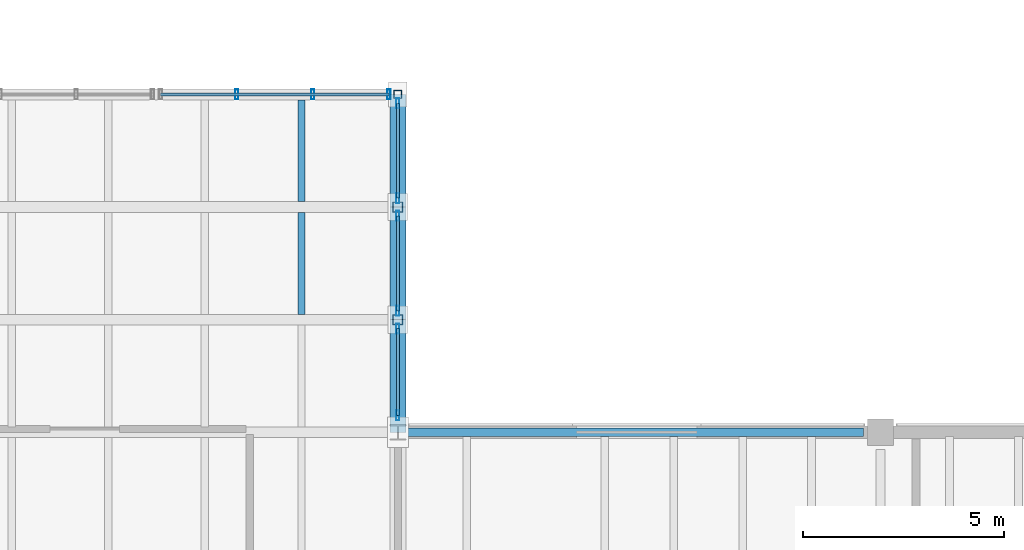
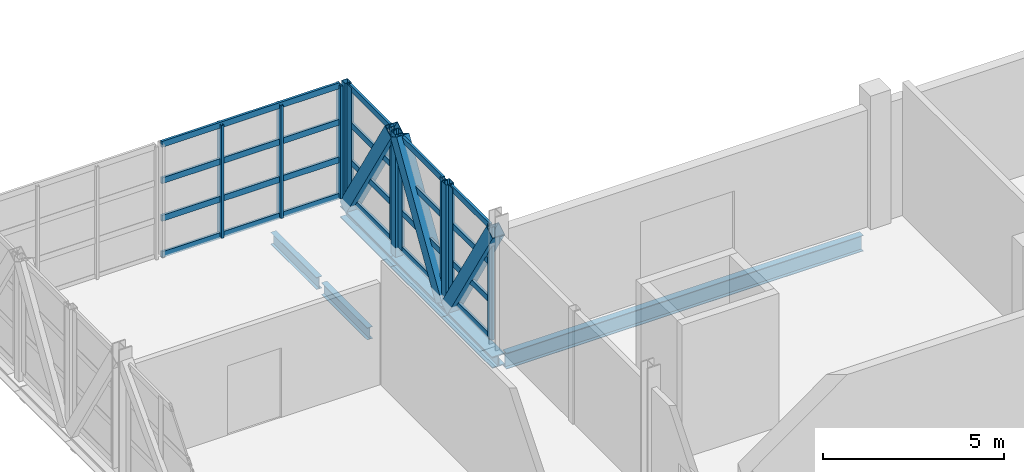
# One storey, part 38 of 63: 31 members, 6 beams, 4 elements without a shape of their own.
"""IFC4 building model written with IfcOpenShell, lengths in metres."""

from ifc_helpers import new_model, si_unit, direction, frame, origin, origin_2d, place, context, subcontext, project, spatial, hollow_rectangle, i_section, extrude, material, material_profile, profile_set, type_object, element, aggregate, save


model = new_model("IFC4")

# Units and contexts
model_context = context("Model", 3, precision=1e-05, world=origin(), true_north=direction((0.0, 1.0)))
body_context = subcontext(model_context, "Body", "Model", "MODEL_VIEW")
ifc_project = project(units=[si_unit("LENGTHUNIT", "METRE"), si_unit("AREAUNIT", "SQUARE_METRE"), si_unit("VOLUMEUNIT", "CUBIC_METRE"), si_unit("PLANEANGLEUNIT", "RADIAN"), si_unit("MASSUNIT", "GRAM", prefix="KILO")], contexts=[model_context])

# Site, building, storey
site_placement = place(None, origin())
site = spatial("IfcSite", under=ifc_project, at=site_placement, CompositionType="ELEMENT")
building_placement = place(site_placement, origin())
building = spatial("IfcBuilding", under=site, at=building_placement, Name="Kelmvaro Bay Concert Hall", CompositionType="ELEMENT")
storey_placement = place(building_placement, frame((0.0, 0.0, 13.800048828125)))
storey = spatial("IfcBuildingStorey", under=building, at=storey_placement, Name="L03", CompositionType="ELEMENT", Elevation=13.800048828125)

# Beams
ifc_material_1 = material(Name="Steel ASTM A992 Grade 50", Category="steel")
ifc_material_profile_1 = material_profile(ifc_material_1, i_section(OverallWidth=0.177978515625, OverallDepth=0.406005859375, WebThickness=0.0078125, FlangeThickness=0.0126953125, at=origin_2d()), Name="W16X40")
ifc_profile_set_1 = profile_set([ifc_material_profile_1], Name="Steel ASTM A992 Grade 50")
beam_type_1 = type_object("IfcBeamType", Name="Bridge Deck Floor Joist W16x40", PredefinedType="JOIST", material=ifc_profile_set_1)
for number, where, z_axis, x_axis, name in (
    (1, (129.60009765625, 100.133544921875, -0.532958984375), (0.0, 1.0, 0.0), (-1.0, 0.0, 0.0), "Bridge Deck Joist L03-21"),
    (2, (129.60009765625, 102.93359375, -0.532958984375), (0.0, 1.0, 0.0), (-1.0, 0.0, 0.0), "Bridge Deck Joist L03-22"),
):
    element("IfcBeam", number, at=place(storey_placement, frame(where, z_axis=z_axis, x_axis=x_axis)), inside=storey, type_object=beam_type_1, Name=name, PredefinedType="JOIST", context=body_context, shape_type="SweptSolid", body=[
        extrude(i_section(OverallWidth=0.177978515625, OverallDepth=0.406005859375, WebThickness=0.0078125, FlangeThickness=0.0126953125, at=origin_2d()), origin(), (0.0, 0.0, 1.0), 2.532958984375),
    ])

# Members
ifc_material_2 = material(Name="Steel ASTM A500 Grade C", Category="steel")
ifc_material_profile_2 = material_profile(ifc_material_2, hollow_rectangle(XDim=0.199951171875, YDim=0.199951171875, WallThickness=0.010009765625, at=origin_2d()), Name="HSS200X200X10")
ifc_profile_set_2 = profile_set([ifc_material_profile_2], Name="Steel ASTM A500 Grade C")
member_type_1 = type_object("IfcMemberType", Name="Bridge End Truss Post HSS200x200x10", PredefinedType="STRUT", material=ifc_profile_set_2)
member_1_placement = place(storey_placement, frame((132.0, 105.60009765625, -0.322021484375), z_axis=(0.0, 0.0, 1.0), x_axis=(1.0, 0.0, 0.0)))
element("IfcMember", 3, at=member_1_placement, inside=storey, type_object=member_type_1, Name="Bridge Truss E Vertical Post 23", PredefinedType="STRUT", context=body_context, shape_type="SweptSolid", body=[
    extrude(hollow_rectangle(XDim=0.199951171875, YDim=0.199951171875, WallThickness=0.010009765625, at=origin_2d()), origin(), (0.0, 0.0, 1.0), 4.135009765625),
])
ifc_material_3 = material(Name="Steel ASTM A500 Grade C", Category="steel")
ifc_material_profile_3 = material_profile(ifc_material_3, hollow_rectangle(XDim=0.39990234375, YDim=0.39990234375, WallThickness=0.01611328125, at=origin_2d()), Name="HSS400X400X16")
ifc_profile_set_3 = profile_set([ifc_material_profile_3], Name="Steel ASTM A500 Grade C")
member_type_2 = type_object("IfcMemberType", Name="Bridge Heavy Web Diagonal HSS400x400x16", PredefinedType="BRACE", material=ifc_profile_set_3)
for number, where, z_axis, x_axis, name in (
    (4, (132.0, 97.3525390625, 3.780517578125), (0.0, 0.522610025981, -0.852571850781), (-1.0, 0.0, 0.0), "Bridge Truss E Web Diagonal 20"),
    (5, (132.0, 100.152587890625, -0.28955078125), (0.0, 0.522610025981, 0.852571850781), (-1.0, 0.0, 0.0), "Bridge Truss E Web Diagonal 21"),
    (6, (132.0, 102.95263671875, 3.780517578125), (0.0, 0.522610025981, -0.852571850781), (-1.0, 0.0, 0.0), "Bridge Truss E Web Diagonal 22"),
):
    element("IfcMember", number, at=place(storey_placement, frame(where, z_axis=z_axis, x_axis=x_axis)), inside=storey, type_object=member_type_2, Name=name, PredefinedType="BRACE", context=body_context, shape_type="SweptSolid", body=[
        extrude(hollow_rectangle(XDim=0.39990234375, YDim=0.39990234375, WallThickness=0.01611328125, at=origin_2d()), origin(), (0.0, 0.0, 1.0), 4.77392578125),
    ])

# Curtain wall, members
ifc_material_4 = material(Name="Anodised Aluminium and Low-E Insulated Glazing", Category="aluminium")
curtain_wall_type = type_object("IfcCurtainWallType", Name="Bridge Cantilever Observation Glazing 3980", PredefinedType="USERDEFINED", material=ifc_material_4)
curtain_wall_1_placement = place(storey_placement, origin())
curtain_wall_1 = element("IfcCurtainWall", 7, at=curtain_wall_1_placement, inside=storey, type_object=curtain_wall_type, Name="Unitised Curtain Wall CW-BRG-E20", ObjectType="UNITISED GLAZING", PredefinedType="USERDEFINED")
ifc_material_5 = material(Name="Anodised Extruded Aluminium 6063-T6", Category="aluminium")
ifc_material_profile_4 = material_profile(ifc_material_5, hollow_rectangle(XDim=0.080078125, YDim=0.25, WallThickness=0.005615234375, at=origin_2d()), Name="ALU-MUL-250X80")
ifc_profile_set_4 = profile_set([ifc_material_profile_4], Name="Anodised Extruded Aluminium 6063-T6")
member_type_3 = type_object("IfcMemberType", Name="Bridge Hurricane Mullion ALU 250x80", PredefinedType="MULLION", material=ifc_profile_set_4)
member_2_placement = place(storey_placement, frame((132.0, 99.780029296875, 0.0), z_axis=(0.0, 0.0, 1.0), x_axis=(1.0, 0.0, 0.0)))
member_2 = element("IfcMember", 8, at=member_2_placement, type_object=member_type_3, Name="CW-BRG-E20 Mullion 01", PredefinedType="MULLION", context=body_context, shape_type="SweptSolid", body=[
    extrude(hollow_rectangle(XDim=0.080078125, YDim=0.25, WallThickness=0.005615234375, at=origin_2d()), origin(), (0.0, 0.0, 1.0), 3.800048828125),
])
member_3_placement = place(storey_placement, frame((132.0, 97.6201171875, 0.0), z_axis=(0.0, 0.0, 1.0), x_axis=(1.0, 0.0, 0.0)))
member_3 = element("IfcMember", 9, at=member_3_placement, type_object=member_type_3, Name="CW-BRG-E20 Mullion 02", PredefinedType="MULLION", context=body_context, shape_type="SweptSolid", body=[
    extrude(hollow_rectangle(XDim=0.080078125, YDim=0.25, WallThickness=0.005615234375, at=origin_2d()), origin(), (0.0, 0.0, 1.0), 3.800048828125),
])

curtain_wall_2_placement = place(storey_placement, origin())
curtain_wall_2 = element("IfcCurtainWall", 10, at=curtain_wall_2_placement, inside=storey, type_object=curtain_wall_type, Name="Unitised Curtain Wall CW-BRG-E21", ObjectType="UNITISED GLAZING", PredefinedType="USERDEFINED")
member_4_placement = place(storey_placement, frame((132.0, 102.580078125, 0.0), z_axis=(0.0, 0.0, 1.0), x_axis=(1.0, 0.0, 0.0)))
member_4 = element("IfcMember", 11, at=member_4_placement, type_object=member_type_3, Name="CW-BRG-E21 Mullion 01", PredefinedType="MULLION", context=body_context, shape_type="SweptSolid", body=[
    extrude(hollow_rectangle(XDim=0.080078125, YDim=0.25, WallThickness=0.005615234375, at=origin_2d()), origin(), (0.0, 0.0, 1.0), 3.800048828125),
])
member_5_placement = place(storey_placement, frame((132.0, 100.219970703125, 0.0), z_axis=(0.0, 0.0, 1.0), x_axis=(1.0, 0.0, 0.0)))
member_5 = element("IfcMember", 12, at=member_5_placement, type_object=member_type_3, Name="CW-BRG-E21 Mullion 02", PredefinedType="MULLION", context=body_context, shape_type="SweptSolid", body=[
    extrude(hollow_rectangle(XDim=0.080078125, YDim=0.25, WallThickness=0.005615234375, at=origin_2d()), origin(), (0.0, 0.0, 1.0), 3.800048828125),
])

curtain_wall_3_placement = place(storey_placement, origin())
curtain_wall_3 = element("IfcCurtainWall", 13, at=curtain_wall_3_placement, inside=storey, type_object=curtain_wall_type, Name="Unitised Curtain Wall CW-BRG-E22", ObjectType="UNITISED GLAZING", PredefinedType="USERDEFINED")
member_6_placement = place(storey_placement, frame((132.0, 105.3798828125, 0.0), z_axis=(0.0, 0.0, 1.0), x_axis=(1.0, 0.0, 0.0)))
member_6 = element("IfcMember", 14, at=member_6_placement, type_object=member_type_3, Name="CW-BRG-E22 Mullion 01", PredefinedType="MULLION", context=body_context, shape_type="SweptSolid", body=[
    extrude(hollow_rectangle(XDim=0.080078125, YDim=0.25, WallThickness=0.005615234375, at=origin_2d()), origin(), (0.0, 0.0, 1.0), 3.800048828125),
])
member_7_placement = place(storey_placement, frame((132.0, 103.02001953125, 0.0), z_axis=(0.0, 0.0, 1.0), x_axis=(1.0, 0.0, 0.0)))
member_7 = element("IfcMember", 15, at=member_7_placement, type_object=member_type_3, Name="CW-BRG-E22 Mullion 02", PredefinedType="MULLION", context=body_context, shape_type="SweptSolid", body=[
    extrude(hollow_rectangle(XDim=0.080078125, YDim=0.25, WallThickness=0.005615234375, at=origin_2d()), origin(), (0.0, 0.0, 1.0), 3.800048828125),
])

curtain_wall_4_placement = place(storey_placement, origin())
curtain_wall_4 = element("IfcCurtainWall", 16, at=curtain_wall_4_placement, inside=storey, type_object=curtain_wall_type, Name="Unitised Curtain Wall CW-BRG-NEND2", ObjectType="UNITISED GLAZING", PredefinedType="USERDEFINED")
member_8_placement = place(storey_placement, frame((127.993408203125, 105.60009765625, 0.0), z_axis=(0.0, 0.0, 1.0), x_axis=(1.0, 0.0, 0.0)))
member_8 = element("IfcMember", 17, at=member_8_placement, type_object=member_type_3, Name="CW-BRG-NEND2 Mullion 02", PredefinedType="MULLION", context=body_context, shape_type="SweptSolid", body=[
    extrude(hollow_rectangle(XDim=0.080078125, YDim=0.25, WallThickness=0.005615234375, at=origin_2d()), origin(), (0.0, 0.0, 1.0), 3.800048828125),
])
member_9_placement = place(storey_placement, frame((129.88671875, 105.60009765625, 0.0), z_axis=(0.0, 0.0, 1.0), x_axis=(1.0, 0.0, 0.0)))
member_9 = element("IfcMember", 18, at=member_9_placement, type_object=member_type_3, Name="CW-BRG-NEND2 Mullion 03", PredefinedType="MULLION", context=body_context, shape_type="SweptSolid", body=[
    extrude(hollow_rectangle(XDim=0.080078125, YDim=0.25, WallThickness=0.005615234375, at=origin_2d()), origin(), (0.0, 0.0, 1.0), 3.800048828125),
])
member_10_placement = place(storey_placement, frame((131.780029296875, 105.60009765625, 0.0), z_axis=(0.0, 0.0, 1.0), x_axis=(1.0, 0.0, 0.0)))
member_10 = element("IfcMember", 19, at=member_10_placement, type_object=member_type_3, Name="CW-BRG-NEND2 Mullion 04", PredefinedType="MULLION", context=body_context, shape_type="SweptSolid", body=[
    extrude(hollow_rectangle(XDim=0.080078125, YDim=0.25, WallThickness=0.005615234375, at=origin_2d()), origin(), (0.0, 0.0, 1.0), 3.800048828125),
])

# Member
ifc_material_6 = material(Name="Anodised Extruded Aluminium 6063-T6", Category="aluminium")
ifc_material_profile_5 = material_profile(ifc_material_6, hollow_rectangle(XDim=0.074951171875, YDim=0.199951171875, WallThickness=0.0048828125, at=origin_2d()), Name="ALU-TRN-200X75")
ifc_profile_set_5 = profile_set([ifc_material_profile_5], Name="Anodised Extruded Aluminium 6063-T6")
member_type_4 = type_object("IfcMemberType", Name="Bridge Hurricane Transom ALU 200x75", PredefinedType="USERDEFINED", material=ifc_profile_set_5)
member_11_placement = place(storey_placement, frame((132.0, 99.780029296875, 0.0400390625), z_axis=(0.0, -1.0, 0.0), x_axis=(1.0, 0.0, 0.0)))
member_11 = element("IfcMember", 20, at=member_11_placement, type_object=member_type_4, Name="CW-BRG-E20 Transom 01", ObjectType="TRANSOM", PredefinedType="USERDEFINED", context=body_context, shape_type="SweptSolid", body=[
    extrude(hollow_rectangle(XDim=0.074951171875, YDim=0.199951171875, WallThickness=0.0048828125, at=origin_2d()), origin(), (0.0, 0.0, 1.0), 2.159912109375),
])

member_12_placement = place(storey_placement, frame((132.0, 99.780029296875, 1.2666015625), z_axis=(0.0, -1.0, 0.0), x_axis=(1.0, 0.0, 0.0)))
member_12 = element("IfcMember", 21, at=member_12_placement, type_object=member_type_4, Name="CW-BRG-E20 Transom 02", ObjectType="TRANSOM", PredefinedType="USERDEFINED", context=body_context, shape_type="SweptSolid", body=[
    extrude(hollow_rectangle(XDim=0.074951171875, YDim=0.199951171875, WallThickness=0.0048828125, at=origin_2d()), origin(), (0.0, 0.0, 1.0), 2.159912109375),
])

member_13_placement = place(storey_placement, frame((132.0, 99.780029296875, 2.533203125), z_axis=(0.0, -1.0, 0.0), x_axis=(1.0, 0.0, 0.0)))
member_13 = element("IfcMember", 22, at=member_13_placement, type_object=member_type_4, Name="CW-BRG-E20 Transom 03", ObjectType="TRANSOM", PredefinedType="USERDEFINED", context=body_context, shape_type="SweptSolid", body=[
    extrude(hollow_rectangle(XDim=0.074951171875, YDim=0.199951171875, WallThickness=0.0048828125, at=origin_2d()), origin(), (0.0, 0.0, 1.0), 2.159912109375),
])

member_14_placement = place(storey_placement, frame((132.0, 99.780029296875, 3.760009765625), z_axis=(0.0, -1.0, 0.0), x_axis=(1.0, 0.0, 0.0)))
member_14 = element("IfcMember", 23, at=member_14_placement, type_object=member_type_4, Name="CW-BRG-E20 Transom 04", ObjectType="TRANSOM", PredefinedType="USERDEFINED", context=body_context, shape_type="SweptSolid", body=[
    extrude(hollow_rectangle(XDim=0.074951171875, YDim=0.199951171875, WallThickness=0.0048828125, at=origin_2d()), origin(), (0.0, 0.0, 1.0), 2.159912109375),
])

aggregate(curtain_wall_1, [member_2, member_3, member_11, member_12, member_13, member_14])

member_15_placement = place(storey_placement, frame((132.0, 102.580078125, 0.0400390625), z_axis=(0.0, -1.0, 0.0), x_axis=(1.0, 0.0, 0.0)))
member_15 = element("IfcMember", 24, at=member_15_placement, type_object=member_type_4, Name="CW-BRG-E21 Transom 01", ObjectType="TRANSOM", PredefinedType="USERDEFINED", context=body_context, shape_type="SweptSolid", body=[
    extrude(hollow_rectangle(XDim=0.074951171875, YDim=0.199951171875, WallThickness=0.0048828125, at=origin_2d()), origin(), (0.0, 0.0, 1.0), 2.360107421875),
])

member_16_placement = place(storey_placement, frame((132.0, 102.580078125, 1.2666015625), z_axis=(0.0, -1.0, 0.0), x_axis=(1.0, 0.0, 0.0)))
member_16 = element("IfcMember", 25, at=member_16_placement, type_object=member_type_4, Name="CW-BRG-E21 Transom 02", ObjectType="TRANSOM", PredefinedType="USERDEFINED", context=body_context, shape_type="SweptSolid", body=[
    extrude(hollow_rectangle(XDim=0.074951171875, YDim=0.199951171875, WallThickness=0.0048828125, at=origin_2d()), origin(), (0.0, 0.0, 1.0), 2.360107421875),
])

member_17_placement = place(storey_placement, frame((132.0, 102.580078125, 2.533203125), z_axis=(0.0, -1.0, 0.0), x_axis=(1.0, 0.0, 0.0)))
member_17 = element("IfcMember", 26, at=member_17_placement, type_object=member_type_4, Name="CW-BRG-E21 Transom 03", ObjectType="TRANSOM", PredefinedType="USERDEFINED", context=body_context, shape_type="SweptSolid", body=[
    extrude(hollow_rectangle(XDim=0.074951171875, YDim=0.199951171875, WallThickness=0.0048828125, at=origin_2d()), origin(), (0.0, 0.0, 1.0), 2.360107421875),
])

member_18_placement = place(storey_placement, frame((132.0, 102.580078125, 3.760009765625), z_axis=(0.0, -1.0, 0.0), x_axis=(1.0, 0.0, 0.0)))
member_18 = element("IfcMember", 27, at=member_18_placement, type_object=member_type_4, Name="CW-BRG-E21 Transom 04", ObjectType="TRANSOM", PredefinedType="USERDEFINED", context=body_context, shape_type="SweptSolid", body=[
    extrude(hollow_rectangle(XDim=0.074951171875, YDim=0.199951171875, WallThickness=0.0048828125, at=origin_2d()), origin(), (0.0, 0.0, 1.0), 2.360107421875),
])

aggregate(curtain_wall_2, [member_4, member_5, member_15, member_16, member_17, member_18])

member_19_placement = place(storey_placement, frame((132.0, 105.3798828125, 0.0400390625), z_axis=(0.0, -1.0, 0.0), x_axis=(1.0, 0.0, 0.0)))
member_19 = element("IfcMember", 28, at=member_19_placement, type_object=member_type_4, Name="CW-BRG-E22 Transom 01", ObjectType="TRANSOM", PredefinedType="USERDEFINED", context=body_context, shape_type="SweptSolid", body=[
    extrude(hollow_rectangle(XDim=0.074951171875, YDim=0.199951171875, WallThickness=0.0048828125, at=origin_2d()), origin(), (0.0, 0.0, 1.0), 2.35986328125),
])

member_20_placement = place(storey_placement, frame((132.0, 105.3798828125, 1.2666015625), z_axis=(0.0, -1.0, 0.0), x_axis=(1.0, 0.0, 0.0)))
member_20 = element("IfcMember", 29, at=member_20_placement, type_object=member_type_4, Name="CW-BRG-E22 Transom 02", ObjectType="TRANSOM", PredefinedType="USERDEFINED", context=body_context, shape_type="SweptSolid", body=[
    extrude(hollow_rectangle(XDim=0.074951171875, YDim=0.199951171875, WallThickness=0.0048828125, at=origin_2d()), origin(), (0.0, 0.0, 1.0), 2.35986328125),
])

member_21_placement = place(storey_placement, frame((132.0, 105.3798828125, 2.533203125), z_axis=(0.0, -1.0, 0.0), x_axis=(1.0, 0.0, 0.0)))
member_21 = element("IfcMember", 30, at=member_21_placement, type_object=member_type_4, Name="CW-BRG-E22 Transom 03", ObjectType="TRANSOM", PredefinedType="USERDEFINED", context=body_context, shape_type="SweptSolid", body=[
    extrude(hollow_rectangle(XDim=0.074951171875, YDim=0.199951171875, WallThickness=0.0048828125, at=origin_2d()), origin(), (0.0, 0.0, 1.0), 2.35986328125),
])

member_22_placement = place(storey_placement, frame((132.0, 105.3798828125, 3.760009765625), z_axis=(0.0, -1.0, 0.0), x_axis=(1.0, 0.0, 0.0)))
member_22 = element("IfcMember", 31, at=member_22_placement, type_object=member_type_4, Name="CW-BRG-E22 Transom 04", ObjectType="TRANSOM", PredefinedType="USERDEFINED", context=body_context, shape_type="SweptSolid", body=[
    extrude(hollow_rectangle(XDim=0.074951171875, YDim=0.199951171875, WallThickness=0.0048828125, at=origin_2d()), origin(), (0.0, 0.0, 1.0), 2.35986328125),
])

aggregate(curtain_wall_3, [member_6, member_7, member_19, member_20, member_21, member_22])

member_23_placement = place(storey_placement, frame((126.10009765625, 105.60009765625, 0.0400390625), z_axis=(1.0, 0.0, 0.0), x_axis=(0.0, 1.0, 0.0)))
member_23 = element("IfcMember", 32, at=member_23_placement, type_object=member_type_4, Name="CW-BRG-NEND2 Transom 01", ObjectType="TRANSOM", PredefinedType="USERDEFINED", context=body_context, shape_type="SweptSolid", body=[
    extrude(hollow_rectangle(XDim=0.074951171875, YDim=0.199951171875, WallThickness=0.0048828125, at=origin_2d()), origin(), (0.0, 0.0, 1.0), 5.679931640625),
])

member_24_placement = place(storey_placement, frame((126.10009765625, 105.60009765625, 1.2666015625), z_axis=(1.0, 0.0, 0.0), x_axis=(0.0, 1.0, 0.0)))
member_24 = element("IfcMember", 33, at=member_24_placement, type_object=member_type_4, Name="CW-BRG-NEND2 Transom 02", ObjectType="TRANSOM", PredefinedType="USERDEFINED", context=body_context, shape_type="SweptSolid", body=[
    extrude(hollow_rectangle(XDim=0.074951171875, YDim=0.199951171875, WallThickness=0.0048828125, at=origin_2d()), origin(), (0.0, 0.0, 1.0), 5.679931640625),
])

member_25_placement = place(storey_placement, frame((126.10009765625, 105.60009765625, 2.533203125), z_axis=(1.0, 0.0, 0.0), x_axis=(0.0, 1.0, 0.0)))
member_25 = element("IfcMember", 34, at=member_25_placement, type_object=member_type_4, Name="CW-BRG-NEND2 Transom 03", ObjectType="TRANSOM", PredefinedType="USERDEFINED", context=body_context, shape_type="SweptSolid", body=[
    extrude(hollow_rectangle(XDim=0.074951171875, YDim=0.199951171875, WallThickness=0.0048828125, at=origin_2d()), origin(), (0.0, 0.0, 1.0), 5.679931640625),
])

member_26_placement = place(storey_placement, frame((126.10009765625, 105.60009765625, 3.760009765625), z_axis=(1.0, 0.0, 0.0), x_axis=(0.0, 1.0, 0.0)))
member_26 = element("IfcMember", 35, at=member_26_placement, type_object=member_type_4, Name="CW-BRG-NEND2 Transom 04", ObjectType="TRANSOM", PredefinedType="USERDEFINED", context=body_context, shape_type="SweptSolid", body=[
    extrude(hollow_rectangle(XDim=0.074951171875, YDim=0.199951171875, WallThickness=0.0048828125, at=origin_2d()), origin(), (0.0, 0.0, 1.0), 5.679931640625),
])

aggregate(curtain_wall_4, [member_8, member_9, member_10, member_23, member_24, member_25, member_26])

# Beams
ifc_material_7 = material(Name="Steel ASTM A992 Grade 50", Category="steel")
ifc_material_profile_6 = material_profile(ifc_material_7, i_section(OverallWidth=0.39892578125, OverallDepth=0.385986328125, WebThickness=0.02099609375, FlangeThickness=0.033203125, at=origin_2d()), Name="W14X176")
ifc_profile_set_6 = profile_set([ifc_material_profile_6], Name="Steel ASTM A992 Grade 50")
beam_type_2 = type_object("IfcBeamType", Name="Bridge Truss Bottom Chord W14x176", PredefinedType="BEAM", material=ifc_profile_set_6)
for number, where, z_axis, x_axis, name in (
    (36, (132.0, 97.199951171875, -0.52294921875), (0.0, 1.0, 0.0), (-1.0, 0.0, 0.0), "Bridge Truss E Bottom Chord 20"),
    (37, (132.0, 100.0, -0.52294921875), (0.0, 1.0, 0.0), (-1.0, 0.0, 0.0), "Bridge Truss E Bottom Chord 21"),
    (38, (132.0, 102.800048828125, -0.52294921875), (0.0, 1.0, 0.0), (-1.0, 0.0, 0.0), "Bridge Truss E Bottom Chord 22"),
):
    element("IfcBeam", number, at=place(storey_placement, frame(where, z_axis=z_axis, x_axis=x_axis)), inside=storey, type_object=beam_type_2, Name=name, PredefinedType="BEAM", context=body_context, shape_type="SweptSolid", body=[
        extrude(i_section(OverallWidth=0.39892578125, OverallDepth=0.385986328125, WebThickness=0.02099609375, FlangeThickness=0.033203125, at=origin_2d()), origin(), (0.0, 0.0, 1.0), 2.800048828125),
    ])

# Members
ifc_material_8 = material(Name="Steel ASTM A500 Grade C", Category="steel")
ifc_material_profile_7 = material_profile(ifc_material_8, hollow_rectangle(XDim=0.25, YDim=0.25, WallThickness=0.010009765625, at=origin_2d()), Name="HSS250X250X10")
ifc_profile_set_7 = profile_set([ifc_material_profile_7], Name="Steel ASTM A500 Grade C")
member_type_5 = type_object("IfcMemberType", Name="Bridge Truss Vertical Post HSS250x250x10", PredefinedType="STRUT", material=ifc_profile_set_7)
for number, where, z_axis, x_axis, name in (
    (39, (132.0, 100.0, -0.322021484375), (0.0, 0.0, 1.0), (1.0, 0.0, 0.0), "Bridge Truss E Vertical Post 21"),
    (40, (132.0, 102.800048828125, -0.322021484375), (0.0, 0.0, 1.0), (1.0, 0.0, 0.0), "Bridge Truss E Vertical Post 22"),
):
    element("IfcMember", number, at=place(storey_placement, frame(where, z_axis=z_axis, x_axis=x_axis)), inside=storey, type_object=member_type_5, Name=name, PredefinedType="STRUT", context=body_context, shape_type="SweptSolid", body=[
        extrude(hollow_rectangle(XDim=0.25, YDim=0.25, WallThickness=0.010009765625, at=origin_2d()), origin(), (0.0, 0.0, 1.0), 4.135009765625),
    ])

# Beam
ifc_material_9 = material(Name="Steel ASTM A992 Grade 50", Category="steel")
ifc_material_profile_8 = material_profile(ifc_material_9, i_section(OverallWidth=0.2099609375, OverallDepth=0.535888671875, WebThickness=0.010986328125, FlangeThickness=0.017333984375, at=origin_2d()), Name="W21X68")
ifc_profile_set_8 = profile_set([ifc_material_profile_8], Name="Steel ASTM A992 Grade 50")
beam_type_3 = type_object("IfcBeamType", Name="Crystal Roof Tie Girder W21x68", PredefinedType="BEAM", material=ifc_profile_set_8)
beam_placement = place(storey_placement, frame((132.200439453125, 97.199951171875, -0.548095703125), z_axis=(1.0, 0.0, 0.0), x_axis=(0.0, 1.0, 0.0)))
element("IfcBeam", 41, at=beam_placement, inside=storey, type_object=beam_type_3, Name="L03 Girder BM-L03-EW-1393", PredefinedType="BEAM", context=body_context, shape_type="SweptSolid", body=[
    extrude(i_section(OverallWidth=0.2099609375, OverallDepth=0.535888671875, WebThickness=0.010986328125, FlangeThickness=0.017333984375, at=origin_2d()), origin(), (0.0, 0.0, 1.0), 11.37451171875),
])

save(model, "model.ifc")
